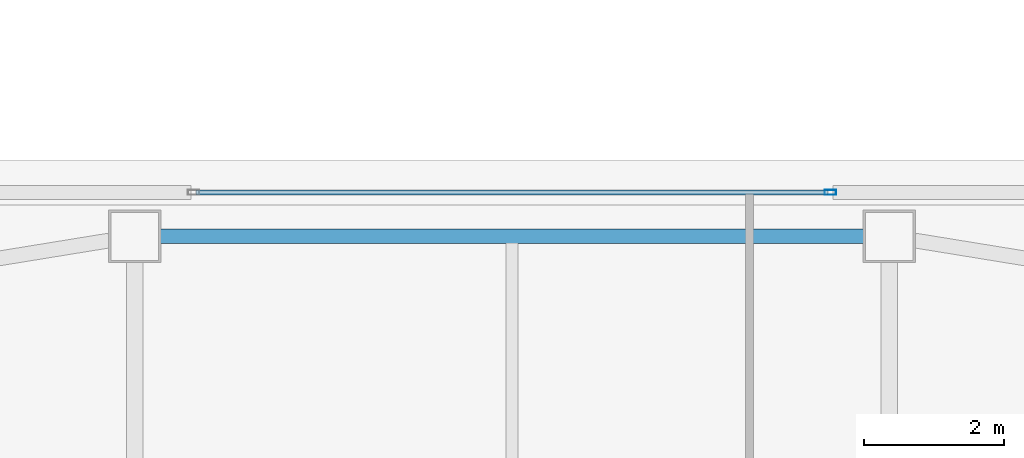
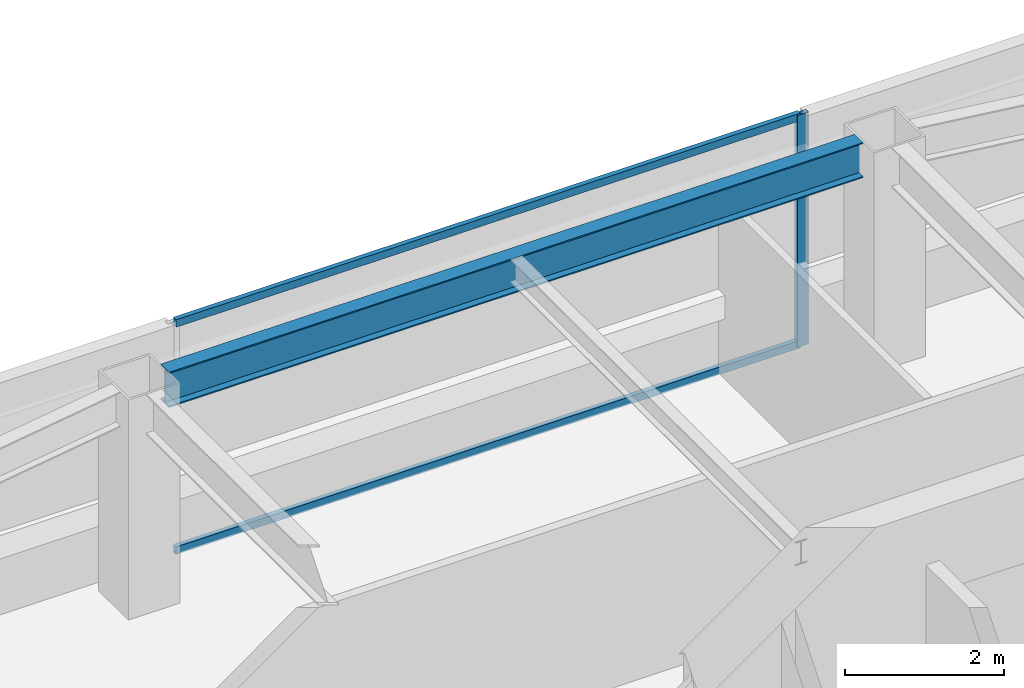
# One storey, part 13 of 36: 3 members, 1 beam, 1 element without a shape of its own.
"""IFC4 building model written with IfcOpenShell, lengths in metres."""

from ifc_helpers import new_model, si_unit, direction, frame, origin, origin_2d, place, context, subcontext, project, spatial, hollow_rectangle, i_section, extrude, material, material_profile, profile_set, type_object, element, aggregate, save


model = new_model("IFC4")

# Units and contexts
model_context = context("Model", 3, precision=1e-05, world=origin(), true_north=direction((0.0, 1.0)))
body_context = subcontext(model_context, "Body", "Model", "MODEL_VIEW")
ifc_project = project(units=[si_unit("LENGTHUNIT", "METRE"), si_unit("AREAUNIT", "SQUARE_METRE"), si_unit("VOLUMEUNIT", "CUBIC_METRE"), si_unit("PLANEANGLEUNIT", "RADIAN"), si_unit("MASSUNIT", "GRAM", prefix="KILO")], contexts=[model_context])

# Site, building, storey
site_placement = place(None, origin())
site = spatial("IfcSite", under=ifc_project, at=site_placement, CompositionType="ELEMENT")
building_placement = place(site_placement, origin())
building = spatial("IfcBuilding", under=site, at=building_placement, Name="Tashvorn Skyway Center", CompositionType="ELEMENT")
storey_placement = place(building_placement, frame((0.0, 0.0, 236.14990234375)))
storey = spatial("IfcBuildingStorey", under=building, at=storey_placement, Name="L64", CompositionType="ELEMENT", Elevation=236.14990234375)

# Beam
ifc_material_1 = material(Name="Steel ASTM A992 Grade 50", Category="steel")
ifc_material_profile_1 = material_profile(ifc_material_1, i_section(OverallWidth=0.2109375, OverallDepth=0.5390625, WebThickness=0.01171875, FlangeThickness=0.018798828125, at=origin_2d()), Name="W21X73")
ifc_profile_set_1 = profile_set([ifc_material_profile_1], Name="Steel ASTM A992 Grade 50")
beam_type = type_object("IfcBeamType", Name="BM-SPANDREL-W21X73", PredefinedType="SPANDREL", material=ifc_profile_set_1)
beam_placement = place(storey_placement, frame((47.030029296875, 47.050048828125, 3.1005859375), z_axis=(-1.0, 0.0, 0.0), x_axis=(0.0, -1.0, 0.0)))
element("IfcBeam", 1, at=beam_placement, inside=storey, type_object=beam_type, Name="Tower 1 L64 Spandrel Beam 08", PredefinedType="SPANDREL", context=body_context, shape_type="SweptSolid", body=[
    extrude(i_section(OverallWidth=0.2109375, OverallDepth=0.5390625, WebThickness=0.01171875, FlangeThickness=0.018798828125, at=origin_2d()), origin(), (0.0, 0.0, 1.0), 10.06005859375),
])

# Curtain wall, members
ifc_material_2 = material(Name="Thermally broken bronze-anodized aluminium 6063-T6", Category="aluminium")
curtain_wall_type = type_object("IfcCurtainWallType", Name="CW-CW-Z5", PredefinedType="NOTDEFINED", material=ifc_material_2)
curtain_wall_placement = place(storey_placement, origin())
curtain_wall = element("IfcCurtainWall", 2, at=curtain_wall_placement, inside=storey, type_object=curtain_wall_type, Name="Tower 1 L64 North Unitised Curtain Wall Glazing Group 2", PredefinedType="NOTDEFINED")
ifc_material_profile_2 = material_profile(ifc_material_2, hollow_rectangle(XDim=0.070068359375, YDim=0.1650390625, WallThickness=0.00390625, at=origin_2d()), Name="ALU-MULL-70x165")
ifc_profile_set_2 = profile_set([ifc_material_profile_2], Name="Thermally broken bronze-anodized aluminium 6063-T6")
member_type_1 = type_object("IfcMemberType", Name="CWM-CW-Z5", PredefinedType="MULLION", material=ifc_profile_set_2)
member_1_placement = place(storey_placement, frame((46.558349609375, 47.679931640625, 0.0), z_axis=(0.0, 0.0, 1.0), x_axis=(0.0, 1.0, 0.0)))
member_1 = element("IfcMember", 3, at=member_1_placement, type_object=member_type_1, Name="CW-Z5 mullion 2", PredefinedType="MULLION", context=body_context, shape_type="SweptSolid", body=[
    extrude(hollow_rectangle(XDim=0.070068359375, YDim=0.1650390625, WallThickness=0.00390625, at=origin_2d()), origin(), (0.0, 0.0, 1.0), 3.550048828125),
])
ifc_material_profile_3 = material_profile(ifc_material_2, hollow_rectangle(XDim=0.070068359375, YDim=0.114990234375, WallThickness=0.00390625, at=origin_2d()), Name="ALU-TRAN-70x115")
ifc_profile_set_3 = profile_set([ifc_material_profile_3], Name="Thermally broken bronze-anodized aluminium 6063-T6")
member_type_2 = type_object("IfcMemberType", Name="CWT-CW-Z5", PredefinedType="USERDEFINED", material=ifc_profile_set_3)
member_2_placement = place(storey_placement, frame((37.476806640625, 47.679931640625, 0.03515625), z_axis=(1.0, 0.0, 0.0), x_axis=(0.0, 1.0, 0.0)))
member_2 = element("IfcMember", 4, at=member_2_placement, type_object=member_type_2, Name="CW-Z5 transom 1.1", ObjectType="TRANSOM", PredefinedType="USERDEFINED", context=body_context, shape_type="SweptSolid", body=[
    extrude(hollow_rectangle(XDim=0.070068359375, YDim=0.114990234375, WallThickness=0.00390625, at=origin_2d()), origin(), (0.0, 0.0, 1.0), 9.04638671875),
])
member_3_placement = place(storey_placement, frame((37.476806640625, 47.679931640625, 3.51513671875), z_axis=(1.0, 0.0, 0.0), x_axis=(0.0, 1.0, 0.0)))
member_3 = element("IfcMember", 5, at=member_3_placement, type_object=member_type_2, Name="CW-Z5 transom 1.2", ObjectType="TRANSOM", PredefinedType="USERDEFINED", context=body_context, shape_type="SweptSolid", body=[
    extrude(hollow_rectangle(XDim=0.070068359375, YDim=0.114990234375, WallThickness=0.00390625, at=origin_2d()), origin(), (0.0, 0.0, 1.0), 9.04638671875),
])
aggregate(curtain_wall, [member_1, member_2, member_3])

save(model, "model.ifc")
